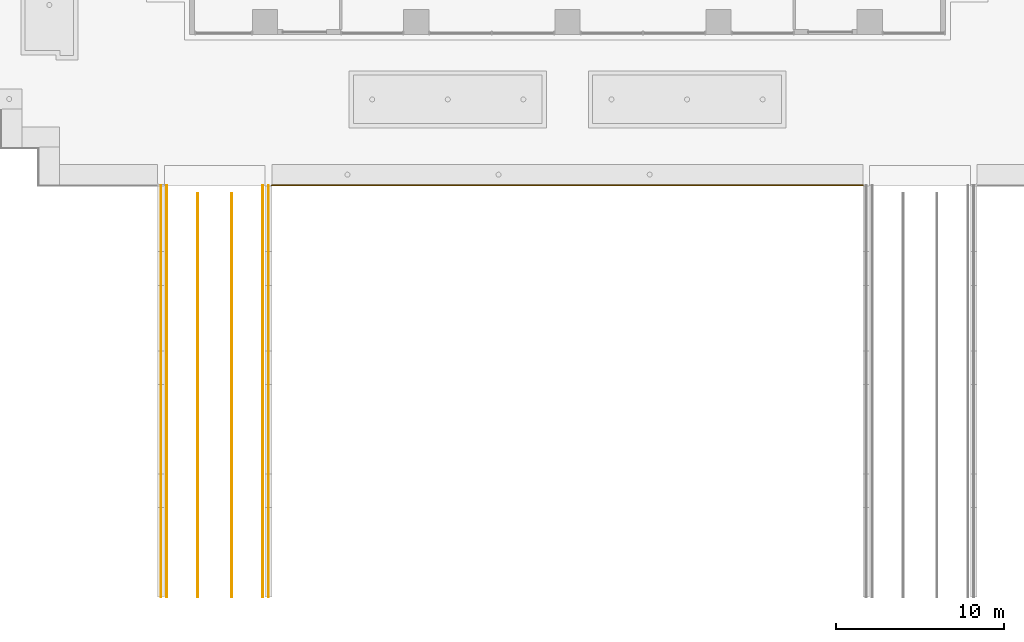
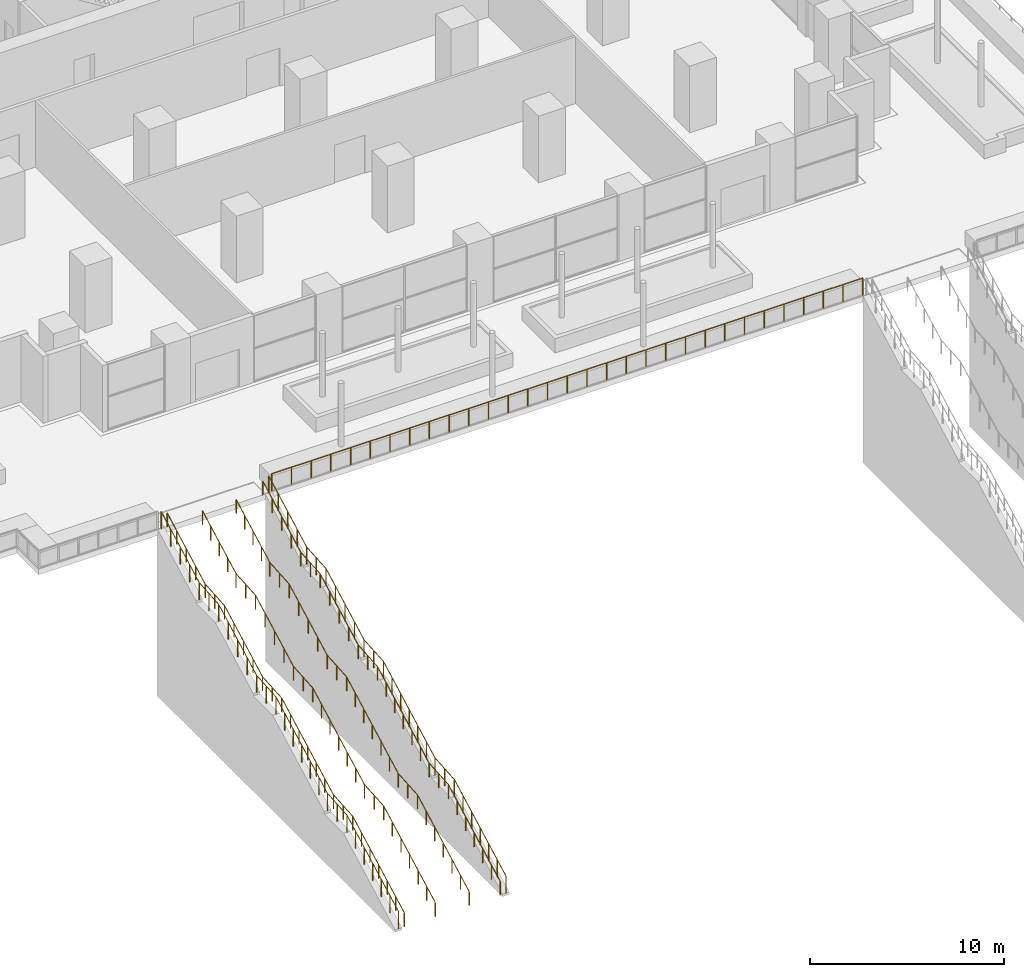
# One storey, part 13 of 18: 7 railings.
"""IFC4 building model written with IfcOpenShell, lengths in metres."""

from ifc_helpers import new_model, si_unit, direction, frame, origin, origin_2d, place, context, subcontext, project, spatial, polyline, rectangle, circle, outline, extrude, material, type_object, element, save


model = new_model("IFC4")

# Units and contexts
model_context = context("Model", 3, precision=1e-05, world=origin(), true_north=direction((0.0, 1.0)))
body_context = subcontext(model_context, "Body", "Model", "MODEL_VIEW")
ifc_project = project(units=[si_unit("LENGTHUNIT", "METRE"), si_unit("AREAUNIT", "SQUARE_METRE"), si_unit("VOLUMEUNIT", "CUBIC_METRE"), si_unit("PLANEANGLEUNIT", "RADIAN"), si_unit("MASSUNIT", "GRAM", prefix="KILO")], contexts=[model_context])

# Site, building, storey
site_placement = place(None, origin())
site = spatial("IfcSite", under=ifc_project, at=site_placement, CompositionType="ELEMENT")
building_placement = place(site_placement, origin())
building = spatial("IfcBuilding", under=site, at=building_placement, Name="Orbiselva Terraces", CompositionType="ELEMENT")
storey_placement = place(building_placement, frame((0.0, 0.0, 10.5)))
storey = spatial("IfcBuildingStorey", under=building, at=storey_placement, Name="L02", CompositionType="ELEMENT", Elevation=10.5)

# Railings
ifc_material = material(Name="Stainless steel rail and posts", Category="steel")
railing_type_1 = type_object("IfcRailingType", Name="ENV-HANDRAIL-900", PredefinedType="HANDRAIL", material=ifc_material)
railing_1_placement = place(storey_placement, frame((-18.15, -55.98, -10.35)))
element("IfcRailing", 1, at=railing_1_placement, inside=storey, type_object=railing_type_1, Name="Stair handrail 1E", PredefinedType="HANDRAIL", context=body_context, shape_type="SweptSolid", body=[
    extrude(circle(Radius=0.025, at=origin_2d()), frame((0.0, 0.0, 0.875), z_axis=(0.0, 0.881479970029, 0.472221412515), x_axis=(-1.0, 0.0, 0.0)), (0.0, 0.0, 1.0), 6.035304),
    extrude(circle(Radius=0.025, at=origin_2d()), frame((0.0, 5.32, 3.725), z_axis=(0.0, 0.997199309888, 0.074789948242), x_axis=(-1.0, 0.0, 0.0)), (0.0, 0.0, 1.0), 2.005617),
    extrude(circle(Radius=0.025, at=origin_2d()), frame((0.0, 7.32, 3.875), z_axis=(0.0, 0.881479970029, 0.472221412515), x_axis=(-1.0, 0.0, 0.0)), (0.0, 0.0, 1.0), 6.035304),
    extrude(circle(Radius=0.025, at=origin_2d()), frame((0.0, 12.64, 6.725), z_axis=(0.0, 0.997199309888, 0.074789948242), x_axis=(-1.0, 0.0, 0.0)), (0.0, 0.0, 1.0), 2.005617),
    extrude(circle(Radius=0.025, at=origin_2d()), frame((0.0, 14.64, 6.875), z_axis=(0.0, 0.881479970029, 0.472221412515), x_axis=(-1.0, 0.0, 0.0)), (0.0, 0.0, 1.0), 4.447066),
    extrude(circle(Radius=0.025, at=origin_2d()), frame((0.0, 18.56, 8.975), z_axis=(0.0, 0.997199309888, 0.074789948242), x_axis=(-1.0, 0.0, 0.0)), (0.0, 0.0, 1.0), 2.005617),
    extrude(circle(Radius=0.025, at=origin_2d()), frame((0.0, 20.56, 9.125), z_axis=(0.0, 0.881479970029, 0.472221412515), x_axis=(-1.0, 0.0, 0.0)), (0.0, 0.0, 1.0), 4.447066),
    extrude(rectangle(XDim=0.05, YDim=0.05, at=origin_2d()), origin(), (0.0, 0.0, 1.0), 0.85),
    extrude(rectangle(XDim=0.05, YDim=0.05, at=origin_2d()), frame((0.0, 0.886667, 0.475)), (0.0, 0.0, 1.0), 0.85),
    extrude(rectangle(XDim=0.05, YDim=0.05, at=origin_2d()), frame((0.0, 1.773333, 0.95)), (0.0, 0.0, 1.0), 0.85),
    extrude(rectangle(XDim=0.05, YDim=0.05, at=origin_2d()), frame((0.0, 2.66, 1.425)), (0.0, 0.0, 1.0), 0.85),
    extrude(rectangle(XDim=0.05, YDim=0.05, at=origin_2d()), frame((0.0, 3.546667, 1.9)), (0.0, 0.0, 1.0), 0.85),
    extrude(rectangle(XDim=0.05, YDim=0.05, at=origin_2d()), frame((0.0, 4.433333, 2.375)), (0.0, 0.0, 1.0), 0.85),
    extrude(rectangle(XDim=0.05, YDim=0.05, at=origin_2d()), frame((0.0, 5.32, 2.85)), (0.0, 0.0, 1.0), 0.85),
    extrude(rectangle(XDim=0.05, YDim=0.05, at=origin_2d()), frame((0.0, 6.32, 2.925)), (0.0, 0.0, 1.0), 0.85),
    extrude(rectangle(XDim=0.05, YDim=0.05, at=origin_2d()), frame((0.0, 7.32, 3.0)), (0.0, 0.0, 1.0), 0.85),
    extrude(rectangle(XDim=0.05, YDim=0.05, at=origin_2d()), frame((0.0, 8.206667, 3.475)), (0.0, 0.0, 1.0), 0.85),
    extrude(rectangle(XDim=0.05, YDim=0.05, at=origin_2d()), frame((0.0, 9.093333, 3.95)), (0.0, 0.0, 1.0), 0.85),
    extrude(rectangle(XDim=0.05, YDim=0.05, at=origin_2d()), frame((0.0, 9.98, 4.425)), (0.0, 0.0, 1.0), 0.85),
    extrude(rectangle(XDim=0.05, YDim=0.05, at=origin_2d()), frame((0.0, 10.866667, 4.9)), (0.0, 0.0, 1.0), 0.85),
    extrude(rectangle(XDim=0.05, YDim=0.05, at=origin_2d()), frame((0.0, 11.753333, 5.375)), (0.0, 0.0, 1.0), 0.85),
    extrude(rectangle(XDim=0.05, YDim=0.05, at=origin_2d()), frame((0.0, 12.64, 5.85)), (0.0, 0.0, 1.0), 0.85),
    extrude(rectangle(XDim=0.05, YDim=0.05, at=origin_2d()), frame((0.0, 13.64, 5.925)), (0.0, 0.0, 1.0), 0.85),
    extrude(rectangle(XDim=0.05, YDim=0.05, at=origin_2d()), frame((0.0, 14.64, 6.0)), (0.0, 0.0, 1.0), 0.85),
    extrude(rectangle(XDim=0.05, YDim=0.05, at=origin_2d()), frame((0.0, 15.62, 6.525)), (0.0, 0.0, 1.0), 0.85),
    extrude(rectangle(XDim=0.05, YDim=0.05, at=origin_2d()), frame((0.0, 16.6, 7.05)), (0.0, 0.0, 1.0), 0.85),
    extrude(rectangle(XDim=0.05, YDim=0.05, at=origin_2d()), frame((0.0, 17.58, 7.575)), (0.0, 0.0, 1.0), 0.85),
    extrude(rectangle(XDim=0.05, YDim=0.05, at=origin_2d()), frame((0.0, 18.56, 8.1)), (0.0, 0.0, 1.0), 0.85),
    extrude(rectangle(XDim=0.05, YDim=0.05, at=origin_2d()), frame((0.0, 19.56, 8.175)), (0.0, 0.0, 1.0), 0.85),
    extrude(rectangle(XDim=0.05, YDim=0.05, at=origin_2d()), frame((0.0, 20.56, 8.25)), (0.0, 0.0, 1.0), 0.85),
    extrude(rectangle(XDim=0.05, YDim=0.05, at=origin_2d()), frame((0.0, 21.54, 8.775)), (0.0, 0.0, 1.0), 0.85),
    extrude(rectangle(XDim=0.05, YDim=0.05, at=origin_2d()), frame((0.0, 22.52, 9.3)), (0.0, 0.0, 1.0), 0.85),
    extrude(rectangle(XDim=0.05, YDim=0.05, at=origin_2d()), frame((0.0, 23.5, 9.825)), (0.0, 0.0, 1.0), 0.85),
    extrude(rectangle(XDim=0.05, YDim=0.05, at=origin_2d()), frame((0.0, 24.48, 10.35)), (0.0, 0.0, 1.0), 0.85),
])
railing_2_placement = place(storey_placement, frame((-23.85, -55.98, -10.35)))
element("IfcRailing", 2, at=railing_2_placement, inside=storey, type_object=railing_type_1, Name="Stair handrail 1W", PredefinedType="HANDRAIL", context=body_context, shape_type="SweptSolid", body=[
    extrude(circle(Radius=0.025, at=origin_2d()), frame((0.0, 0.0, 0.875), z_axis=(0.0, 0.881479970029, 0.472221412515), x_axis=(-1.0, 0.0, 0.0)), (0.0, 0.0, 1.0), 6.035304),
    extrude(circle(Radius=0.025, at=origin_2d()), frame((0.0, 5.32, 3.725), z_axis=(0.0, 0.997199309888, 0.074789948242), x_axis=(-1.0, 0.0, 0.0)), (0.0, 0.0, 1.0), 2.005617),
    extrude(circle(Radius=0.025, at=origin_2d()), frame((0.0, 7.32, 3.875), z_axis=(0.0, 0.881479970029, 0.472221412515), x_axis=(-1.0, 0.0, 0.0)), (0.0, 0.0, 1.0), 6.035304),
    extrude(circle(Radius=0.025, at=origin_2d()), frame((0.0, 12.64, 6.725), z_axis=(0.0, 0.997199309888, 0.074789948242), x_axis=(-1.0, 0.0, 0.0)), (0.0, 0.0, 1.0), 2.005617),
    extrude(circle(Radius=0.025, at=origin_2d()), frame((0.0, 14.64, 6.875), z_axis=(0.0, 0.881479970029, 0.472221412515), x_axis=(-1.0, 0.0, 0.0)), (0.0, 0.0, 1.0), 4.447066),
    extrude(circle(Radius=0.025, at=origin_2d()), frame((0.0, 18.56, 8.975), z_axis=(0.0, 0.997199309888, 0.074789948242), x_axis=(-1.0, 0.0, 0.0)), (0.0, 0.0, 1.0), 2.005617),
    extrude(circle(Radius=0.025, at=origin_2d()), frame((0.0, 20.56, 9.125), z_axis=(0.0, 0.881479970029, 0.472221412515), x_axis=(-1.0, 0.0, 0.0)), (0.0, 0.0, 1.0), 4.447066),
    extrude(rectangle(XDim=0.05, YDim=0.05, at=origin_2d()), origin(), (0.0, 0.0, 1.0), 0.85),
    extrude(rectangle(XDim=0.05, YDim=0.05, at=origin_2d()), frame((0.0, 0.886667, 0.475)), (0.0, 0.0, 1.0), 0.85),
    extrude(rectangle(XDim=0.05, YDim=0.05, at=origin_2d()), frame((0.0, 1.773333, 0.95)), (0.0, 0.0, 1.0), 0.85),
    extrude(rectangle(XDim=0.05, YDim=0.05, at=origin_2d()), frame((0.0, 2.66, 1.425)), (0.0, 0.0, 1.0), 0.85),
    extrude(rectangle(XDim=0.05, YDim=0.05, at=origin_2d()), frame((0.0, 3.546667, 1.9)), (0.0, 0.0, 1.0), 0.85),
    extrude(rectangle(XDim=0.05, YDim=0.05, at=origin_2d()), frame((0.0, 4.433333, 2.375)), (0.0, 0.0, 1.0), 0.85),
    extrude(rectangle(XDim=0.05, YDim=0.05, at=origin_2d()), frame((0.0, 5.32, 2.85)), (0.0, 0.0, 1.0), 0.85),
    extrude(rectangle(XDim=0.05, YDim=0.05, at=origin_2d()), frame((0.0, 6.32, 2.925)), (0.0, 0.0, 1.0), 0.85),
    extrude(rectangle(XDim=0.05, YDim=0.05, at=origin_2d()), frame((0.0, 7.32, 3.0)), (0.0, 0.0, 1.0), 0.85),
    extrude(rectangle(XDim=0.05, YDim=0.05, at=origin_2d()), frame((0.0, 8.206667, 3.475)), (0.0, 0.0, 1.0), 0.85),
    extrude(rectangle(XDim=0.05, YDim=0.05, at=origin_2d()), frame((0.0, 9.093333, 3.95)), (0.0, 0.0, 1.0), 0.85),
    extrude(rectangle(XDim=0.05, YDim=0.05, at=origin_2d()), frame((0.0, 9.98, 4.425)), (0.0, 0.0, 1.0), 0.85),
    extrude(rectangle(XDim=0.05, YDim=0.05, at=origin_2d()), frame((0.0, 10.866667, 4.9)), (0.0, 0.0, 1.0), 0.85),
    extrude(rectangle(XDim=0.05, YDim=0.05, at=origin_2d()), frame((0.0, 11.753333, 5.375)), (0.0, 0.0, 1.0), 0.85),
    extrude(rectangle(XDim=0.05, YDim=0.05, at=origin_2d()), frame((0.0, 12.64, 5.85)), (0.0, 0.0, 1.0), 0.85),
    extrude(rectangle(XDim=0.05, YDim=0.05, at=origin_2d()), frame((0.0, 13.64, 5.925)), (0.0, 0.0, 1.0), 0.85),
    extrude(rectangle(XDim=0.05, YDim=0.05, at=origin_2d()), frame((0.0, 14.64, 6.0)), (0.0, 0.0, 1.0), 0.85),
    extrude(rectangle(XDim=0.05, YDim=0.05, at=origin_2d()), frame((0.0, 15.62, 6.525)), (0.0, 0.0, 1.0), 0.85),
    extrude(rectangle(XDim=0.05, YDim=0.05, at=origin_2d()), frame((0.0, 16.6, 7.05)), (0.0, 0.0, 1.0), 0.85),
    extrude(rectangle(XDim=0.05, YDim=0.05, at=origin_2d()), frame((0.0, 17.58, 7.575)), (0.0, 0.0, 1.0), 0.85),
    extrude(rectangle(XDim=0.05, YDim=0.05, at=origin_2d()), frame((0.0, 18.56, 8.1)), (0.0, 0.0, 1.0), 0.85),
    extrude(rectangle(XDim=0.05, YDim=0.05, at=origin_2d()), frame((0.0, 19.56, 8.175)), (0.0, 0.0, 1.0), 0.85),
    extrude(rectangle(XDim=0.05, YDim=0.05, at=origin_2d()), frame((0.0, 20.56, 8.25)), (0.0, 0.0, 1.0), 0.85),
    extrude(rectangle(XDim=0.05, YDim=0.05, at=origin_2d()), frame((0.0, 21.54, 8.775)), (0.0, 0.0, 1.0), 0.85),
    extrude(rectangle(XDim=0.05, YDim=0.05, at=origin_2d()), frame((0.0, 22.52, 9.3)), (0.0, 0.0, 1.0), 0.85),
    extrude(rectangle(XDim=0.05, YDim=0.05, at=origin_2d()), frame((0.0, 23.5, 9.825)), (0.0, 0.0, 1.0), 0.85),
    extrude(rectangle(XDim=0.05, YDim=0.05, at=origin_2d()), frame((0.0, 24.48, 10.35)), (0.0, 0.0, 1.0), 0.85),
])
railing_3_placement = place(storey_placement, frame((-22.005, -55.98, -10.35)))
element("IfcRailing", 3, at=railing_3_placement, inside=storey, type_object=railing_type_1, Name="Stair handrail 1 between lanes 1", PredefinedType="HANDRAIL", context=body_context, shape_type="SweptSolid", body=[
    extrude(circle(Radius=0.025, at=origin_2d()), frame((0.0, 0.0, 0.875), z_axis=(0.0, 0.881479970029, 0.472221412515), x_axis=(-1.0, 0.0, 0.0)), (0.0, 0.0, 1.0), 6.035304),
    extrude(circle(Radius=0.025, at=origin_2d()), frame((0.0, 5.32, 3.725), z_axis=(0.0, 0.997199309888, 0.074789948242), x_axis=(-1.0, 0.0, 0.0)), (0.0, 0.0, 1.0), 2.005617),
    extrude(circle(Radius=0.025, at=origin_2d()), frame((0.0, 7.32, 3.875), z_axis=(0.0, 0.881479970029, 0.472221412515), x_axis=(-1.0, 0.0, 0.0)), (0.0, 0.0, 1.0), 6.035304),
    extrude(circle(Radius=0.025, at=origin_2d()), frame((0.0, 12.64, 6.725), z_axis=(0.0, 0.997199309888, 0.074789948242), x_axis=(-1.0, 0.0, 0.0)), (0.0, 0.0, 1.0), 2.005617),
    extrude(circle(Radius=0.025, at=origin_2d()), frame((0.0, 14.64, 6.875), z_axis=(0.0, 0.881479970029, 0.472221412515), x_axis=(-1.0, 0.0, 0.0)), (0.0, 0.0, 1.0), 4.447066),
    extrude(circle(Radius=0.025, at=origin_2d()), frame((0.0, 18.56, 8.975), z_axis=(0.0, 0.997199309888, 0.074789948242), x_axis=(-1.0, 0.0, 0.0)), (0.0, 0.0, 1.0), 2.005617),
    extrude(circle(Radius=0.025, at=origin_2d()), frame((0.0, 20.56, 9.125), z_axis=(0.0, 0.881479924711, 0.472221497108), x_axis=(-1.0, 0.0, 0.0)), (0.0, 0.0, 1.0), 3.936562),
    extrude(rectangle(XDim=0.05, YDim=0.05, at=origin_2d()), origin(), (0.0, 0.0, 1.0), 0.85),
    extrude(rectangle(XDim=0.05, YDim=0.05, at=origin_2d()), frame((0.0, 0.886667, 0.475)), (0.0, 0.0, 1.0), 0.85),
    extrude(rectangle(XDim=0.05, YDim=0.05, at=origin_2d()), frame((0.0, 1.773333, 0.95)), (0.0, 0.0, 1.0), 0.85),
    extrude(rectangle(XDim=0.05, YDim=0.05, at=origin_2d()), frame((0.0, 2.66, 1.425)), (0.0, 0.0, 1.0), 0.85),
    extrude(rectangle(XDim=0.05, YDim=0.05, at=origin_2d()), frame((0.0, 3.546667, 1.9)), (0.0, 0.0, 1.0), 0.85),
    extrude(rectangle(XDim=0.05, YDim=0.05, at=origin_2d()), frame((0.0, 4.433333, 2.375)), (0.0, 0.0, 1.0), 0.85),
    extrude(rectangle(XDim=0.05, YDim=0.05, at=origin_2d()), frame((0.0, 5.32, 2.85)), (0.0, 0.0, 1.0), 0.85),
    extrude(rectangle(XDim=0.05, YDim=0.05, at=origin_2d()), frame((0.0, 6.32, 2.925)), (0.0, 0.0, 1.0), 0.85),
    extrude(rectangle(XDim=0.05, YDim=0.05, at=origin_2d()), frame((0.0, 7.32, 3.0)), (0.0, 0.0, 1.0), 0.85),
    extrude(rectangle(XDim=0.05, YDim=0.05, at=origin_2d()), frame((0.0, 8.206667, 3.475)), (0.0, 0.0, 1.0), 0.85),
    extrude(rectangle(XDim=0.05, YDim=0.05, at=origin_2d()), frame((0.0, 9.093333, 3.95)), (0.0, 0.0, 1.0), 0.85),
    extrude(rectangle(XDim=0.05, YDim=0.05, at=origin_2d()), frame((0.0, 9.98, 4.425)), (0.0, 0.0, 1.0), 0.85),
    extrude(rectangle(XDim=0.05, YDim=0.05, at=origin_2d()), frame((0.0, 10.866667, 4.9)), (0.0, 0.0, 1.0), 0.85),
    extrude(rectangle(XDim=0.05, YDim=0.05, at=origin_2d()), frame((0.0, 11.753333, 5.375)), (0.0, 0.0, 1.0), 0.85),
    extrude(rectangle(XDim=0.05, YDim=0.05, at=origin_2d()), frame((0.0, 12.64, 5.85)), (0.0, 0.0, 1.0), 0.85),
    extrude(rectangle(XDim=0.05, YDim=0.05, at=origin_2d()), frame((0.0, 13.64, 5.925)), (0.0, 0.0, 1.0), 0.85),
    extrude(rectangle(XDim=0.05, YDim=0.05, at=origin_2d()), frame((0.0, 14.64, 6.0)), (0.0, 0.0, 1.0), 0.85),
    extrude(rectangle(XDim=0.05, YDim=0.05, at=origin_2d()), frame((0.0, 15.62, 6.525)), (0.0, 0.0, 1.0), 0.85),
    extrude(rectangle(XDim=0.05, YDim=0.05, at=origin_2d()), frame((0.0, 16.6, 7.05)), (0.0, 0.0, 1.0), 0.85),
    extrude(rectangle(XDim=0.05, YDim=0.05, at=origin_2d()), frame((0.0, 17.58, 7.575)), (0.0, 0.0, 1.0), 0.85),
    extrude(rectangle(XDim=0.05, YDim=0.05, at=origin_2d()), frame((0.0, 18.56, 8.1)), (0.0, 0.0, 1.0), 0.85),
    extrude(rectangle(XDim=0.05, YDim=0.05, at=origin_2d()), frame((0.0, 19.56, 8.175)), (0.0, 0.0, 1.0), 0.85),
    extrude(rectangle(XDim=0.05, YDim=0.05, at=origin_2d()), frame((0.0, 20.56, 8.25)), (0.0, 0.0, 1.0), 0.85),
    extrude(rectangle(XDim=0.05, YDim=0.05, at=origin_2d()), frame((0.0, 21.4275, 8.714732)), (0.0, 0.0, 1.0), 0.85),
    extrude(rectangle(XDim=0.05, YDim=0.05, at=origin_2d()), frame((0.0, 22.295, 9.179464)), (0.0, 0.0, 1.0), 0.85),
    extrude(rectangle(XDim=0.05, YDim=0.05, at=origin_2d()), frame((0.0, 23.1625, 9.644197)), (0.0, 0.0, 1.0), 0.85),
    extrude(rectangle(XDim=0.05, YDim=0.05, at=origin_2d()), frame((0.0, 24.03, 10.108929)), (0.0, 0.0, 1.0), 0.85),
])
railing_4_placement = place(storey_placement, frame((-19.995, -55.98, -10.35)))
element("IfcRailing", 4, at=railing_4_placement, inside=storey, type_object=railing_type_1, Name="Stair handrail 1 between lanes 2", PredefinedType="HANDRAIL", context=body_context, shape_type="SweptSolid", body=[
    extrude(circle(Radius=0.025, at=origin_2d()), frame((0.0, 0.0, 0.875), z_axis=(0.0, 0.881479970029, 0.472221412515), x_axis=(-1.0, 0.0, 0.0)), (0.0, 0.0, 1.0), 6.035304),
    extrude(circle(Radius=0.025, at=origin_2d()), frame((0.0, 5.32, 3.725), z_axis=(0.0, 0.997199309888, 0.074789948242), x_axis=(-1.0, 0.0, 0.0)), (0.0, 0.0, 1.0), 2.005617),
    extrude(circle(Radius=0.025, at=origin_2d()), frame((0.0, 7.32, 3.875), z_axis=(0.0, 0.881479970029, 0.472221412515), x_axis=(-1.0, 0.0, 0.0)), (0.0, 0.0, 1.0), 6.035304),
    extrude(circle(Radius=0.025, at=origin_2d()), frame((0.0, 12.64, 6.725), z_axis=(0.0, 0.997199309888, 0.074789948242), x_axis=(-1.0, 0.0, 0.0)), (0.0, 0.0, 1.0), 2.005617),
    extrude(circle(Radius=0.025, at=origin_2d()), frame((0.0, 14.64, 6.875), z_axis=(0.0, 0.881479970029, 0.472221412515), x_axis=(-1.0, 0.0, 0.0)), (0.0, 0.0, 1.0), 4.447066),
    extrude(circle(Radius=0.025, at=origin_2d()), frame((0.0, 18.56, 8.975), z_axis=(0.0, 0.997199309888, 0.074789948242), x_axis=(-1.0, 0.0, 0.0)), (0.0, 0.0, 1.0), 2.005617),
    extrude(circle(Radius=0.025, at=origin_2d()), frame((0.0, 20.56, 9.125), z_axis=(0.0, 0.881479924711, 0.472221497108), x_axis=(-1.0, 0.0, 0.0)), (0.0, 0.0, 1.0), 3.936562),
    extrude(rectangle(XDim=0.05, YDim=0.05, at=origin_2d()), origin(), (0.0, 0.0, 1.0), 0.85),
    extrude(rectangle(XDim=0.05, YDim=0.05, at=origin_2d()), frame((0.0, 0.886667, 0.475)), (0.0, 0.0, 1.0), 0.85),
    extrude(rectangle(XDim=0.05, YDim=0.05, at=origin_2d()), frame((0.0, 1.773333, 0.95)), (0.0, 0.0, 1.0), 0.85),
    extrude(rectangle(XDim=0.05, YDim=0.05, at=origin_2d()), frame((0.0, 2.66, 1.425)), (0.0, 0.0, 1.0), 0.85),
    extrude(rectangle(XDim=0.05, YDim=0.05, at=origin_2d()), frame((0.0, 3.546667, 1.9)), (0.0, 0.0, 1.0), 0.85),
    extrude(rectangle(XDim=0.05, YDim=0.05, at=origin_2d()), frame((0.0, 4.433333, 2.375)), (0.0, 0.0, 1.0), 0.85),
    extrude(rectangle(XDim=0.05, YDim=0.05, at=origin_2d()), frame((0.0, 5.32, 2.85)), (0.0, 0.0, 1.0), 0.85),
    extrude(rectangle(XDim=0.05, YDim=0.05, at=origin_2d()), frame((0.0, 6.32, 2.925)), (0.0, 0.0, 1.0), 0.85),
    extrude(rectangle(XDim=0.05, YDim=0.05, at=origin_2d()), frame((0.0, 7.32, 3.0)), (0.0, 0.0, 1.0), 0.85),
    extrude(rectangle(XDim=0.05, YDim=0.05, at=origin_2d()), frame((0.0, 8.206667, 3.475)), (0.0, 0.0, 1.0), 0.85),
    extrude(rectangle(XDim=0.05, YDim=0.05, at=origin_2d()), frame((0.0, 9.093333, 3.95)), (0.0, 0.0, 1.0), 0.85),
    extrude(rectangle(XDim=0.05, YDim=0.05, at=origin_2d()), frame((0.0, 9.98, 4.425)), (0.0, 0.0, 1.0), 0.85),
    extrude(rectangle(XDim=0.05, YDim=0.05, at=origin_2d()), frame((0.0, 10.866667, 4.9)), (0.0, 0.0, 1.0), 0.85),
    extrude(rectangle(XDim=0.05, YDim=0.05, at=origin_2d()), frame((0.0, 11.753333, 5.375)), (0.0, 0.0, 1.0), 0.85),
    extrude(rectangle(XDim=0.05, YDim=0.05, at=origin_2d()), frame((0.0, 12.64, 5.85)), (0.0, 0.0, 1.0), 0.85),
    extrude(rectangle(XDim=0.05, YDim=0.05, at=origin_2d()), frame((0.0, 13.64, 5.925)), (0.0, 0.0, 1.0), 0.85),
    extrude(rectangle(XDim=0.05, YDim=0.05, at=origin_2d()), frame((0.0, 14.64, 6.0)), (0.0, 0.0, 1.0), 0.85),
    extrude(rectangle(XDim=0.05, YDim=0.05, at=origin_2d()), frame((0.0, 15.62, 6.525)), (0.0, 0.0, 1.0), 0.85),
    extrude(rectangle(XDim=0.05, YDim=0.05, at=origin_2d()), frame((0.0, 16.6, 7.05)), (0.0, 0.0, 1.0), 0.85),
    extrude(rectangle(XDim=0.05, YDim=0.05, at=origin_2d()), frame((0.0, 17.58, 7.575)), (0.0, 0.0, 1.0), 0.85),
    extrude(rectangle(XDim=0.05, YDim=0.05, at=origin_2d()), frame((0.0, 18.56, 8.1)), (0.0, 0.0, 1.0), 0.85),
    extrude(rectangle(XDim=0.05, YDim=0.05, at=origin_2d()), frame((0.0, 19.56, 8.175)), (0.0, 0.0, 1.0), 0.85),
    extrude(rectangle(XDim=0.05, YDim=0.05, at=origin_2d()), frame((0.0, 20.56, 8.25)), (0.0, 0.0, 1.0), 0.85),
    extrude(rectangle(XDim=0.05, YDim=0.05, at=origin_2d()), frame((0.0, 21.4275, 8.714732)), (0.0, 0.0, 1.0), 0.85),
    extrude(rectangle(XDim=0.05, YDim=0.05, at=origin_2d()), frame((0.0, 22.295, 9.179464)), (0.0, 0.0, 1.0), 0.85),
    extrude(rectangle(XDim=0.05, YDim=0.05, at=origin_2d()), frame((0.0, 23.1625, 9.644197)), (0.0, 0.0, 1.0), 0.85),
    extrude(rectangle(XDim=0.05, YDim=0.05, at=origin_2d()), frame((0.0, 24.03, 10.108929)), (0.0, 0.0, 1.0), 0.85),
])
railing_type_2 = type_object("IfcRailingType", Name="ENV-TERRACE-GUARD-1105", PredefinedType="BALUSTRADE", material=ifc_material)
railing_5_placement = place(storey_placement, frame((-17.6, -31.475, 0.05)))
element("IfcRailing", 5, at=railing_5_placement, inside=storey, type_object=railing_type_2, Name="Guard L02 deck", PredefinedType="BALUSTRADE", context=body_context, shape_type="SweptSolid", body=[
    extrude(outline(polyline([(0.028868, 0.0), (0.014434, 0.025), (-0.014434, 0.025), (-0.028868, 0.0), (-0.014434, -0.025), (0.014434, -0.025), (0.028868, 0.0)])), frame((0.0, 0.0, 1.08), z_axis=(1.0, 0.0, 0.0), x_axis=(0.0, 1.0, 0.0)), (0.0, 0.0, 1.0), 35.2),
    extrude(rectangle(XDim=0.05, YDim=0.05, at=origin_2d()), origin(), (0.0, 0.0, 1.0), 1.055),
    extrude(rectangle(XDim=0.05, YDim=0.05, at=origin_2d()), frame((1.173333, 0.0, 0.0)), (0.0, 0.0, 1.0), 1.055),
    extrude(rectangle(XDim=0.05, YDim=0.05, at=origin_2d()), frame((2.346667, 0.0, 0.0)), (0.0, 0.0, 1.0), 1.055),
    extrude(rectangle(XDim=0.05, YDim=0.05, at=origin_2d()), frame((3.52, 0.0, 0.0)), (0.0, 0.0, 1.0), 1.055),
    extrude(rectangle(XDim=0.05, YDim=0.05, at=origin_2d()), frame((4.693333, 0.0, 0.0)), (0.0, 0.0, 1.0), 1.055),
    extrude(rectangle(XDim=0.05, YDim=0.05, at=origin_2d()), frame((5.866667, 0.0, 0.0)), (0.0, 0.0, 1.0), 1.055),
    extrude(rectangle(XDim=0.05, YDim=0.05, at=origin_2d()), frame((7.04, 0.0, 0.0)), (0.0, 0.0, 1.0), 1.055),
    extrude(rectangle(XDim=0.05, YDim=0.05, at=origin_2d()), frame((8.213333, 0.0, 0.0)), (0.0, 0.0, 1.0), 1.055),
    extrude(rectangle(XDim=0.05, YDim=0.05, at=origin_2d()), frame((9.386667, 0.0, 0.0)), (0.0, 0.0, 1.0), 1.055),
    extrude(rectangle(XDim=0.05, YDim=0.05, at=origin_2d()), frame((10.56, 0.0, 0.0)), (0.0, 0.0, 1.0), 1.055),
    extrude(rectangle(XDim=0.05, YDim=0.05, at=origin_2d()), frame((11.733333, 0.0, 0.0)), (0.0, 0.0, 1.0), 1.055),
    extrude(rectangle(XDim=0.05, YDim=0.05, at=origin_2d()), frame((12.906667, 0.0, 0.0)), (0.0, 0.0, 1.0), 1.055),
    extrude(rectangle(XDim=0.05, YDim=0.05, at=origin_2d()), frame((14.08, 0.0, 0.0)), (0.0, 0.0, 1.0), 1.055),
    extrude(rectangle(XDim=0.05, YDim=0.05, at=origin_2d()), frame((15.253333, 0.0, 0.0)), (0.0, 0.0, 1.0), 1.055),
    extrude(rectangle(XDim=0.05, YDim=0.05, at=origin_2d()), frame((16.426667, 0.0, 0.0)), (0.0, 0.0, 1.0), 1.055),
    extrude(rectangle(XDim=0.05, YDim=0.05, at=origin_2d()), frame((17.6, 0.0, 0.0)), (0.0, 0.0, 1.0), 1.055),
    extrude(rectangle(XDim=0.05, YDim=0.05, at=origin_2d()), frame((18.773333, 0.0, 0.0)), (0.0, 0.0, 1.0), 1.055),
    extrude(rectangle(XDim=0.05, YDim=0.05, at=origin_2d()), frame((19.946667, 0.0, 0.0)), (0.0, 0.0, 1.0), 1.055),
    extrude(rectangle(XDim=0.05, YDim=0.05, at=origin_2d()), frame((21.12, 0.0, 0.0)), (0.0, 0.0, 1.0), 1.055),
    extrude(rectangle(XDim=0.05, YDim=0.05, at=origin_2d()), frame((22.293333, 0.0, 0.0)), (0.0, 0.0, 1.0), 1.055),
    extrude(rectangle(XDim=0.05, YDim=0.05, at=origin_2d()), frame((23.466667, 0.0, 0.0)), (0.0, 0.0, 1.0), 1.055),
    extrude(rectangle(XDim=0.05, YDim=0.05, at=origin_2d()), frame((24.64, 0.0, 0.0)), (0.0, 0.0, 1.0), 1.055),
    extrude(rectangle(XDim=0.05, YDim=0.05, at=origin_2d()), frame((25.813333, 0.0, 0.0)), (0.0, 0.0, 1.0), 1.055),
    extrude(rectangle(XDim=0.05, YDim=0.05, at=origin_2d()), frame((26.986667, 0.0, 0.0)), (0.0, 0.0, 1.0), 1.055),
    extrude(rectangle(XDim=0.05, YDim=0.05, at=origin_2d()), frame((28.16, 0.0, 0.0)), (0.0, 0.0, 1.0), 1.055),
    extrude(rectangle(XDim=0.05, YDim=0.05, at=origin_2d()), frame((29.333333, 0.0, 0.0)), (0.0, 0.0, 1.0), 1.055),
    extrude(rectangle(XDim=0.05, YDim=0.05, at=origin_2d()), frame((30.506667, 0.0, 0.0)), (0.0, 0.0, 1.0), 1.055),
    extrude(rectangle(XDim=0.05, YDim=0.05, at=origin_2d()), frame((31.68, 0.0, 0.0)), (0.0, 0.0, 1.0), 1.055),
    extrude(rectangle(XDim=0.05, YDim=0.05, at=origin_2d()), frame((32.853333, 0.0, 0.0)), (0.0, 0.0, 1.0), 1.055),
    extrude(rectangle(XDim=0.05, YDim=0.05, at=origin_2d()), frame((34.026667, 0.0, 0.0)), (0.0, 0.0, 1.0), 1.055),
    extrude(rectangle(XDim=0.05, YDim=0.05, at=origin_2d()), frame((35.2, 0.0, 0.0)), (0.0, 0.0, 1.0), 1.055),
])
railing_6_placement = place(storey_placement, frame((-17.8, -55.98, -10.35)))
element("IfcRailing", 6, at=railing_6_placement, inside=storey, type_object=railing_type_2, Name="Stair guard 1E", PredefinedType="BALUSTRADE", context=body_context, shape_type="SweptSolid", body=[
    extrude(circle(Radius=0.025, at=origin_2d()), frame((0.0, 0.0, 1.08), z_axis=(0.0, 0.881479970029, 0.472221412515), x_axis=(-1.0, 0.0, 0.0)), (0.0, 0.0, 1.0), 6.035304),
    extrude(circle(Radius=0.025, at=origin_2d()), frame((0.0, 5.32, 3.93), z_axis=(0.0, 0.997199309888, 0.074789948242), x_axis=(-1.0, 0.0, 0.0)), (0.0, 0.0, 1.0), 2.005617),
    extrude(circle(Radius=0.025, at=origin_2d()), frame((0.0, 7.32, 4.08), z_axis=(0.0, 0.881479970029, 0.472221412515), x_axis=(-1.0, 0.0, 0.0)), (0.0, 0.0, 1.0), 6.035304),
    extrude(circle(Radius=0.025, at=origin_2d()), frame((0.0, 12.64, 6.93), z_axis=(0.0, 0.997199309888, 0.074789948242), x_axis=(-1.0, 0.0, 0.0)), (0.0, 0.0, 1.0), 2.005617),
    extrude(circle(Radius=0.025, at=origin_2d()), frame((0.0, 14.64, 7.08), z_axis=(0.0, 0.881479970029, 0.472221412515), x_axis=(-1.0, 0.0, 0.0)), (0.0, 0.0, 1.0), 4.447066),
    extrude(circle(Radius=0.025, at=origin_2d()), frame((0.0, 18.56, 9.18), z_axis=(0.0, 0.997199309888, 0.074789948242), x_axis=(-1.0, 0.0, 0.0)), (0.0, 0.0, 1.0), 2.005617),
    extrude(circle(Radius=0.025, at=origin_2d()), frame((0.0, 20.56, 9.33), z_axis=(0.0, 0.881479970029, 0.472221412515), x_axis=(-1.0, 0.0, 0.0)), (0.0, 0.0, 1.0), 4.447066),
    extrude(rectangle(XDim=0.05, YDim=0.05, at=origin_2d()), origin(), (0.0, 0.0, 1.0), 1.055),
    extrude(rectangle(XDim=0.05, YDim=0.05, at=origin_2d()), frame((0.0, 0.886667, 0.475)), (0.0, 0.0, 1.0), 1.055),
    extrude(rectangle(XDim=0.05, YDim=0.05, at=origin_2d()), frame((0.0, 1.773333, 0.95)), (0.0, 0.0, 1.0), 1.055),
    extrude(rectangle(XDim=0.05, YDim=0.05, at=origin_2d()), frame((0.0, 2.66, 1.425)), (0.0, 0.0, 1.0), 1.055),
    extrude(rectangle(XDim=0.05, YDim=0.05, at=origin_2d()), frame((0.0, 3.546667, 1.9)), (0.0, 0.0, 1.0), 1.055),
    extrude(rectangle(XDim=0.05, YDim=0.05, at=origin_2d()), frame((0.0, 4.433333, 2.375)), (0.0, 0.0, 1.0), 1.055),
    extrude(rectangle(XDim=0.05, YDim=0.05, at=origin_2d()), frame((0.0, 5.32, 2.85)), (0.0, 0.0, 1.0), 1.055),
    extrude(rectangle(XDim=0.05, YDim=0.05, at=origin_2d()), frame((0.0, 6.32, 2.925)), (0.0, 0.0, 1.0), 1.055),
    extrude(rectangle(XDim=0.05, YDim=0.05, at=origin_2d()), frame((0.0, 7.32, 3.0)), (0.0, 0.0, 1.0), 1.055),
    extrude(rectangle(XDim=0.05, YDim=0.05, at=origin_2d()), frame((0.0, 8.206667, 3.475)), (0.0, 0.0, 1.0), 1.055),
    extrude(rectangle(XDim=0.05, YDim=0.05, at=origin_2d()), frame((0.0, 9.093333, 3.95)), (0.0, 0.0, 1.0), 1.055),
    extrude(rectangle(XDim=0.05, YDim=0.05, at=origin_2d()), frame((0.0, 9.98, 4.425)), (0.0, 0.0, 1.0), 1.055),
    extrude(rectangle(XDim=0.05, YDim=0.05, at=origin_2d()), frame((0.0, 10.866667, 4.9)), (0.0, 0.0, 1.0), 1.055),
    extrude(rectangle(XDim=0.05, YDim=0.05, at=origin_2d()), frame((0.0, 11.753333, 5.375)), (0.0, 0.0, 1.0), 1.055),
    extrude(rectangle(XDim=0.05, YDim=0.05, at=origin_2d()), frame((0.0, 12.64, 5.85)), (0.0, 0.0, 1.0), 1.055),
    extrude(rectangle(XDim=0.05, YDim=0.05, at=origin_2d()), frame((0.0, 13.64, 5.925)), (0.0, 0.0, 1.0), 1.055),
    extrude(rectangle(XDim=0.05, YDim=0.05, at=origin_2d()), frame((0.0, 14.64, 6.0)), (0.0, 0.0, 1.0), 1.055),
    extrude(rectangle(XDim=0.05, YDim=0.05, at=origin_2d()), frame((0.0, 15.62, 6.525)), (0.0, 0.0, 1.0), 1.055),
    extrude(rectangle(XDim=0.05, YDim=0.05, at=origin_2d()), frame((0.0, 16.6, 7.05)), (0.0, 0.0, 1.0), 1.055),
    extrude(rectangle(XDim=0.05, YDim=0.05, at=origin_2d()), frame((0.0, 17.58, 7.575)), (0.0, 0.0, 1.0), 1.055),
    extrude(rectangle(XDim=0.05, YDim=0.05, at=origin_2d()), frame((0.0, 18.56, 8.1)), (0.0, 0.0, 1.0), 1.055),
    extrude(rectangle(XDim=0.05, YDim=0.05, at=origin_2d()), frame((0.0, 19.56, 8.175)), (0.0, 0.0, 1.0), 1.055),
    extrude(rectangle(XDim=0.05, YDim=0.05, at=origin_2d()), frame((0.0, 20.56, 8.25)), (0.0, 0.0, 1.0), 1.055),
    extrude(rectangle(XDim=0.05, YDim=0.05, at=origin_2d()), frame((0.0, 21.54, 8.775)), (0.0, 0.0, 1.0), 1.055),
    extrude(rectangle(XDim=0.05, YDim=0.05, at=origin_2d()), frame((0.0, 22.52, 9.3)), (0.0, 0.0, 1.0), 1.055),
    extrude(rectangle(XDim=0.05, YDim=0.05, at=origin_2d()), frame((0.0, 23.5, 9.825)), (0.0, 0.0, 1.0), 1.055),
    extrude(rectangle(XDim=0.05, YDim=0.05, at=origin_2d()), frame((0.0, 24.48, 10.35)), (0.0, 0.0, 1.0), 1.055),
])
railing_7_placement = place(storey_placement, frame((-24.2, -55.98, -10.35)))
element("IfcRailing", 7, at=railing_7_placement, inside=storey, type_object=railing_type_2, Name="Stair guard 1W", PredefinedType="BALUSTRADE", context=body_context, shape_type="SweptSolid", body=[
    extrude(circle(Radius=0.025, at=origin_2d()), frame((0.0, 0.0, 1.08), z_axis=(0.0, 0.881479970029, 0.472221412515), x_axis=(-1.0, 0.0, 0.0)), (0.0, 0.0, 1.0), 6.035304),
    extrude(circle(Radius=0.025, at=origin_2d()), frame((0.0, 5.32, 3.93), z_axis=(0.0, 0.997199309888, 0.074789948242), x_axis=(-1.0, 0.0, 0.0)), (0.0, 0.0, 1.0), 2.005617),
    extrude(circle(Radius=0.025, at=origin_2d()), frame((0.0, 7.32, 4.08), z_axis=(0.0, 0.881479970029, 0.472221412515), x_axis=(-1.0, 0.0, 0.0)), (0.0, 0.0, 1.0), 6.035304),
    extrude(circle(Radius=0.025, at=origin_2d()), frame((0.0, 12.64, 6.93), z_axis=(0.0, 0.997199309888, 0.074789948242), x_axis=(-1.0, 0.0, 0.0)), (0.0, 0.0, 1.0), 2.005617),
    extrude(circle(Radius=0.025, at=origin_2d()), frame((0.0, 14.64, 7.08), z_axis=(0.0, 0.881479970029, 0.472221412515), x_axis=(-1.0, 0.0, 0.0)), (0.0, 0.0, 1.0), 4.447066),
    extrude(circle(Radius=0.025, at=origin_2d()), frame((0.0, 18.56, 9.18), z_axis=(0.0, 0.997199309888, 0.074789948242), x_axis=(-1.0, 0.0, 0.0)), (0.0, 0.0, 1.0), 2.005617),
    extrude(circle(Radius=0.025, at=origin_2d()), frame((0.0, 20.56, 9.33), z_axis=(0.0, 0.881479970029, 0.472221412515), x_axis=(-1.0, 0.0, 0.0)), (0.0, 0.0, 1.0), 4.447066),
    extrude(rectangle(XDim=0.05, YDim=0.05, at=origin_2d()), origin(), (0.0, 0.0, 1.0), 1.055),
    extrude(rectangle(XDim=0.05, YDim=0.05, at=origin_2d()), frame((0.0, 0.886667, 0.475)), (0.0, 0.0, 1.0), 1.055),
    extrude(rectangle(XDim=0.05, YDim=0.05, at=origin_2d()), frame((0.0, 1.773333, 0.95)), (0.0, 0.0, 1.0), 1.055),
    extrude(rectangle(XDim=0.05, YDim=0.05, at=origin_2d()), frame((0.0, 2.66, 1.425)), (0.0, 0.0, 1.0), 1.055),
    extrude(rectangle(XDim=0.05, YDim=0.05, at=origin_2d()), frame((0.0, 3.546667, 1.9)), (0.0, 0.0, 1.0), 1.055),
    extrude(rectangle(XDim=0.05, YDim=0.05, at=origin_2d()), frame((0.0, 4.433333, 2.375)), (0.0, 0.0, 1.0), 1.055),
    extrude(rectangle(XDim=0.05, YDim=0.05, at=origin_2d()), frame((0.0, 5.32, 2.85)), (0.0, 0.0, 1.0), 1.055),
    extrude(rectangle(XDim=0.05, YDim=0.05, at=origin_2d()), frame((0.0, 6.32, 2.925)), (0.0, 0.0, 1.0), 1.055),
    extrude(rectangle(XDim=0.05, YDim=0.05, at=origin_2d()), frame((0.0, 7.32, 3.0)), (0.0, 0.0, 1.0), 1.055),
    extrude(rectangle(XDim=0.05, YDim=0.05, at=origin_2d()), frame((0.0, 8.206667, 3.475)), (0.0, 0.0, 1.0), 1.055),
    extrude(rectangle(XDim=0.05, YDim=0.05, at=origin_2d()), frame((0.0, 9.093333, 3.95)), (0.0, 0.0, 1.0), 1.055),
    extrude(rectangle(XDim=0.05, YDim=0.05, at=origin_2d()), frame((0.0, 9.98, 4.425)), (0.0, 0.0, 1.0), 1.055),
    extrude(rectangle(XDim=0.05, YDim=0.05, at=origin_2d()), frame((0.0, 10.866667, 4.9)), (0.0, 0.0, 1.0), 1.055),
    extrude(rectangle(XDim=0.05, YDim=0.05, at=origin_2d()), frame((0.0, 11.753333, 5.375)), (0.0, 0.0, 1.0), 1.055),
    extrude(rectangle(XDim=0.05, YDim=0.05, at=origin_2d()), frame((0.0, 12.64, 5.85)), (0.0, 0.0, 1.0), 1.055),
    extrude(rectangle(XDim=0.05, YDim=0.05, at=origin_2d()), frame((0.0, 13.64, 5.925)), (0.0, 0.0, 1.0), 1.055),
    extrude(rectangle(XDim=0.05, YDim=0.05, at=origin_2d()), frame((0.0, 14.64, 6.0)), (0.0, 0.0, 1.0), 1.055),
    extrude(rectangle(XDim=0.05, YDim=0.05, at=origin_2d()), frame((0.0, 15.62, 6.525)), (0.0, 0.0, 1.0), 1.055),
    extrude(rectangle(XDim=0.05, YDim=0.05, at=origin_2d()), frame((0.0, 16.6, 7.05)), (0.0, 0.0, 1.0), 1.055),
    extrude(rectangle(XDim=0.05, YDim=0.05, at=origin_2d()), frame((0.0, 17.58, 7.575)), (0.0, 0.0, 1.0), 1.055),
    extrude(rectangle(XDim=0.05, YDim=0.05, at=origin_2d()), frame((0.0, 18.56, 8.1)), (0.0, 0.0, 1.0), 1.055),
    extrude(rectangle(XDim=0.05, YDim=0.05, at=origin_2d()), frame((0.0, 19.56, 8.175)), (0.0, 0.0, 1.0), 1.055),
    extrude(rectangle(XDim=0.05, YDim=0.05, at=origin_2d()), frame((0.0, 20.56, 8.25)), (0.0, 0.0, 1.0), 1.055),
    extrude(rectangle(XDim=0.05, YDim=0.05, at=origin_2d()), frame((0.0, 21.54, 8.775)), (0.0, 0.0, 1.0), 1.055),
    extrude(rectangle(XDim=0.05, YDim=0.05, at=origin_2d()), frame((0.0, 22.52, 9.3)), (0.0, 0.0, 1.0), 1.055),
    extrude(rectangle(XDim=0.05, YDim=0.05, at=origin_2d()), frame((0.0, 23.5, 9.825)), (0.0, 0.0, 1.0), 1.055),
    extrude(rectangle(XDim=0.05, YDim=0.05, at=origin_2d()), frame((0.0, 24.48, 10.35)), (0.0, 0.0, 1.0), 1.055),
])

save(model, "model.ifc")
